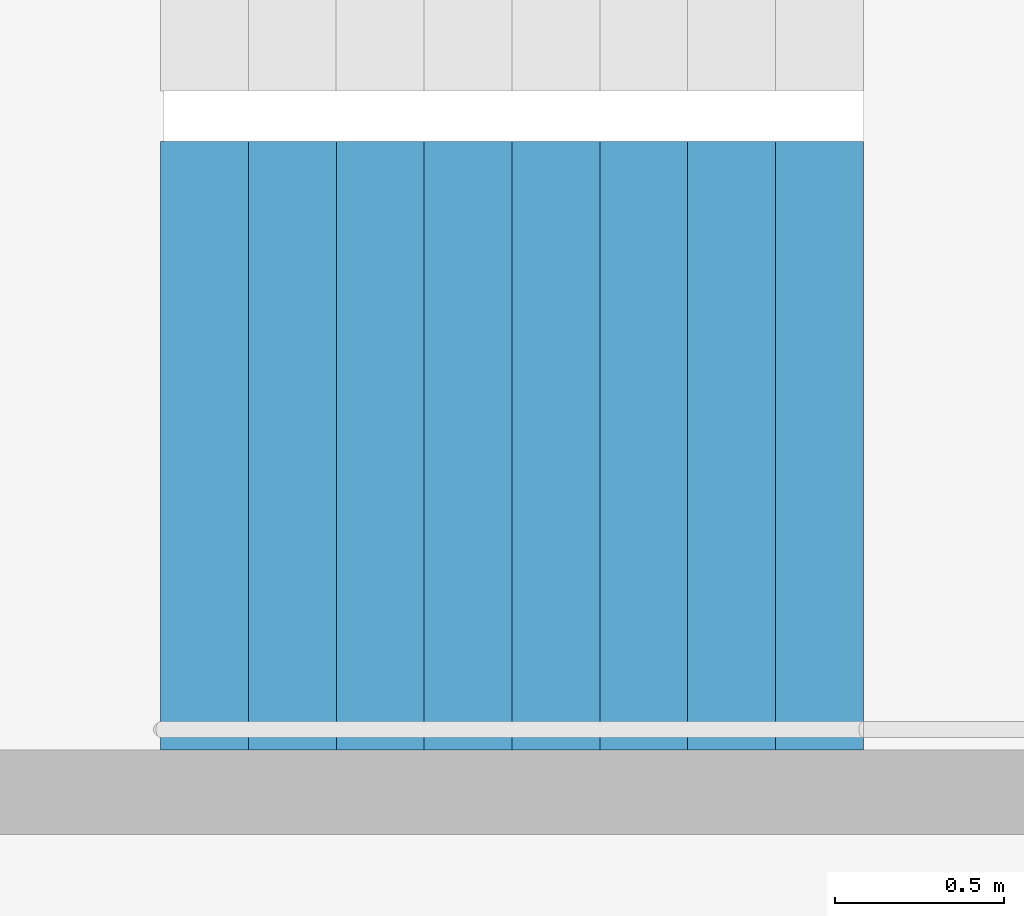
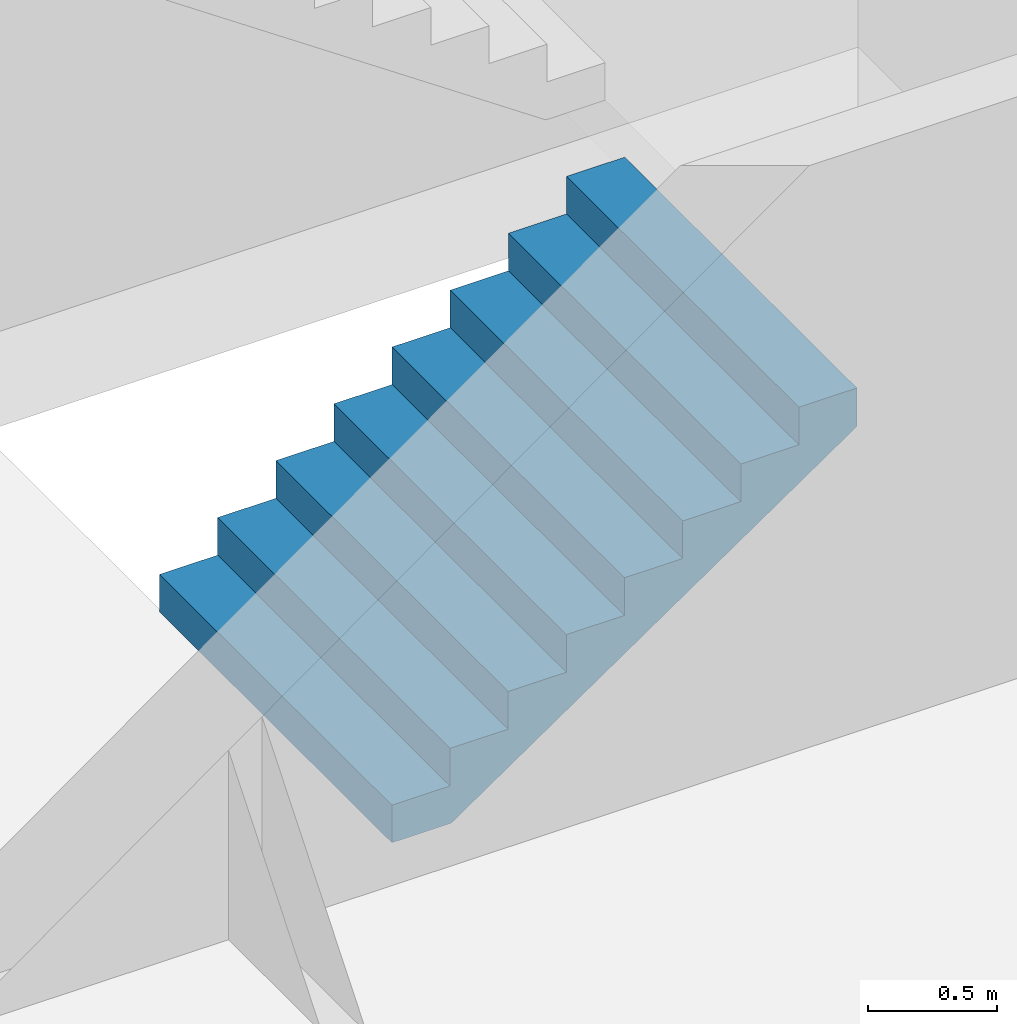
# One storey, part 20 of 26: 1 stair flight, 1 element without a shape of its own.
"""IFC4 building model written with IfcOpenShell, lengths in metres."""

from ifc_helpers import new_model, si_unit, direction, frame, origin, place, context, subcontext, project, spatial, triangles, material, type_object, element, aggregate, save


model = new_model("IFC4")

# Units and contexts
model_context = context("Model", 3, precision=1e-05, world=origin(), true_north=direction((0.0, 1.0)))
body_context = subcontext(model_context, "Body", "Model", "MODEL_VIEW")
ifc_project = project(units=[si_unit("LENGTHUNIT", "METRE"), si_unit("AREAUNIT", "SQUARE_METRE"), si_unit("VOLUMEUNIT", "CUBIC_METRE"), si_unit("PLANEANGLEUNIT", "RADIAN"), si_unit("MASSUNIT", "GRAM", prefix="KILO")], contexts=[model_context])

# Site, building, storey
site_placement = place(None, origin())
site = spatial("IfcSite", under=ifc_project, at=site_placement, CompositionType="ELEMENT")
building_placement = place(site_placement, origin())
building = spatial("IfcBuilding", under=site, at=building_placement, Name="Hakoniwa Tower and Hamabe Station Hall", CompositionType="ELEMENT")
storey_placement = place(building_placement, frame((0.0, 0.0, 212.199951171875)))
storey = spatial("IfcBuildingStorey", under=building, at=storey_placement, Name="L60", CompositionType="ELEMENT", Elevation=212.199951171875)

# Stair, stair flight
ifc_material_1 = material(Name="Concrete C40", Category="concrete")
stair_type = type_object("IfcStairType", Name="ESCAPE STAIR 1800", PredefinedType="HALF_TURN_STAIR", material=ifc_material_1)
stair_placement = place(storey_placement, origin())
stair = element("IfcStair", 1, at=stair_placement, inside=storey, type_object=stair_type, Name="Escape stair ST-1 L60", PredefinedType="HALF_TURN_STAIR")
ifc_material_2 = material(Name="Concrete C40", Category="concrete")
stair_flight_type = type_object("IfcStairFlightType", Name="STAIR FLIGHT 1800", PredefinedType="STRAIGHT", material=ifc_material_2)
stair_flight_placement = place(storey_placement, frame((-24.39990234375, 4.64990234375, 0.0), z_axis=(0.0, 0.0, 1.0), x_axis=(1.0, 0.0, 0.0)))
stair_flight = element("IfcStairFlight", 2, at=stair_flight_placement, type_object=stair_flight_type, Name="ST-1 flight 1", NumberOfRisers=9, NumberOfTreads=8, PredefinedType="STRAIGHT", RiserHeight=0.177777778, TreadLength=0.26, context=body_context, shape_type="Tessellation", body=[
    triangles([(0.0, 0.89990234375, 0.0), (0.260009765625, 0.89990234375, 0.0), (0.265625, 0.89990234375, 0.0), (0.52001953125, 0.89990234375, 0.174072265625), (0.780029296875, 0.89990234375, 0.351806640625), (1.0400390625, 0.89990234375, 0.529541015625), (1.300048828125, 0.89990234375, 0.707275390625), (1.56005859375, 0.89990234375, 0.885009765625), (1.820068359375, 0.89990234375, 1.062744140625), (2.080078125, 0.89990234375, 1.24072265625), (2.080078125, 0.89990234375, 1.422119140625), (1.820068359375, 0.89990234375, 1.422119140625), (1.820068359375, 0.89990234375, 1.244384765625), (1.56005859375, 0.89990234375, 1.244384765625), (1.56005859375, 0.89990234375, 1.066650390625), (1.300048828125, 0.89990234375, 1.066650390625), (1.300048828125, 0.89990234375, 0.888916015625), (1.0400390625, 0.89990234375, 0.888916015625), (1.0400390625, 0.89990234375, 0.711181640625), (0.780029296875, 0.89990234375, 0.711181640625), (0.780029296875, 0.89990234375, 0.533447265625), (0.52001953125, 0.89990234375, 0.533447265625), (0.52001953125, 0.89990234375, 0.35546875), (0.265625, 0.89990234375, 0.35546875), (0.260009765625, 0.89990234375, 0.35546875), (0.260009765625, 0.89990234375, 0.177734375), (0.0, 0.89990234375, 0.177734375), (0.0, 0.06005859375, 0.0), (0.260009765625, 0.06005859375, 0.0), (0.265625, 0.06005859375, 0.0), (0.52001953125, 0.06005859375, 0.174072265625), (0.780029296875, 0.06005859375, 0.351806640625), (1.0400390625, 0.06005859375, 0.529541015625), (1.300048828125, 0.06005859375, 0.707275390625), (1.56005859375, 0.06005859375, 0.885009765625), (1.820068359375, 0.06005859375, 1.062744140625), (2.080078125, 0.06005859375, 1.24072265625), (2.080078125, 0.06005859375, 1.422119140625), (1.820068359375, 0.06005859375, 1.422119140625), (1.820068359375, 0.06005859375, 1.244384765625), (1.56005859375, 0.06005859375, 1.244384765625), (1.56005859375, 0.06005859375, 1.066650390625), (1.300048828125, 0.06005859375, 1.066650390625), (1.300048828125, 0.06005859375, 0.888916015625), (1.0400390625, 0.06005859375, 0.888916015625), (1.0400390625, 0.06005859375, 0.711181640625), (0.780029296875, 0.06005859375, 0.711181640625), (0.780029296875, 0.06005859375, 0.533447265625), (0.52001953125, 0.06005859375, 0.533447265625), (0.52001953125, 0.06005859375, 0.35546875), (0.265625, 0.06005859375, 0.35546875), (0.260009765625, 0.06005859375, 0.35546875), (0.260009765625, 0.06005859375, 0.177734375), (0.0, 0.06005859375, 0.177734375), (0.0, 0.04296875, 0.0), (0.260009765625, 0.04296875, 0.0), (0.265625, 0.04296875, 0.0), (0.52001953125, 0.04296875, 0.174072265625), (0.780029296875, 0.04296875, 0.351806640625), (1.0400390625, 0.04296875, 0.529541015625), (1.300048828125, 0.04296875, 0.707275390625), (1.56005859375, 0.04296875, 0.885009765625), (1.820068359375, 0.04296875, 1.062744140625), (2.080078125, 0.04296875, 1.24072265625), (2.080078125, 0.04296875, 1.422119140625), (1.820068359375, 0.04296875, 1.422119140625), (1.820068359375, 0.04296875, 1.244384765625), (1.56005859375, 0.04296875, 1.244384765625), (1.56005859375, 0.04296875, 1.066650390625), (1.300048828125, 0.04296875, 1.066650390625), (1.300048828125, 0.04296875, 0.888916015625), (1.0400390625, 0.04296875, 0.888916015625), (1.0400390625, 0.04296875, 0.711181640625), (0.780029296875, 0.04296875, 0.711181640625), (0.780029296875, 0.04296875, 0.533447265625), (0.52001953125, 0.04296875, 0.533447265625), (0.52001953125, 0.04296875, 0.35546875), (0.265625, 0.04296875, 0.35546875), (0.260009765625, 0.04296875, 0.35546875), (0.260009765625, 0.04296875, 0.177734375), (0.0, 0.04296875, 0.177734375), (0.0, 0.025634765625, 0.0), (0.260009765625, 0.025634765625, 0.0), (0.265625, 0.025634765625, 0.0), (0.52001953125, 0.025634765625, 0.174072265625), (0.780029296875, 0.025634765625, 0.351806640625), (1.0400390625, 0.025634765625, 0.529541015625), (1.300048828125, 0.025634765625, 0.707275390625), (1.56005859375, 0.025634765625, 0.885009765625), (1.820068359375, 0.025634765625, 1.062744140625), (2.080078125, 0.025634765625, 1.24072265625), (2.080078125, 0.025634765625, 1.422119140625), (1.820068359375, 0.025634765625, 1.422119140625), (1.820068359375, 0.025634765625, 1.244384765625), (1.56005859375, 0.025634765625, 1.244384765625), (1.56005859375, 0.025634765625, 1.066650390625), (1.300048828125, 0.025634765625, 1.066650390625), (1.300048828125, 0.025634765625, 0.888916015625), (1.0400390625, 0.025634765625, 0.888916015625), (1.0400390625, 0.025634765625, 0.711181640625), (0.780029296875, 0.025634765625, 0.711181640625), (0.780029296875, 0.025634765625, 0.533447265625), (0.52001953125, 0.025634765625, 0.533447265625), (0.52001953125, 0.025634765625, 0.35546875), (0.265625, 0.025634765625, 0.35546875), (0.260009765625, 0.025634765625, 0.35546875), (0.260009765625, 0.025634765625, 0.177734375), (0.0, 0.025634765625, 0.177734375), (0.0, 0.008544921875, 0.0), (0.260009765625, 0.008544921875, 0.0), (0.265625, 0.008544921875, 0.0), (0.52001953125, 0.008544921875, 0.174072265625), (0.780029296875, 0.008544921875, 0.351806640625), (1.0400390625, 0.008544921875, 0.529541015625), (1.300048828125, 0.008544921875, 0.707275390625), (1.56005859375, 0.008544921875, 0.885009765625), (1.820068359375, 0.008544921875, 1.062744140625), (2.080078125, 0.008544921875, 1.24072265625), (2.080078125, 0.008544921875, 1.422119140625), (1.820068359375, 0.008544921875, 1.422119140625), (1.820068359375, 0.008544921875, 1.244384765625), (1.56005859375, 0.008544921875, 1.244384765625), (1.56005859375, 0.008544921875, 1.066650390625), (1.300048828125, 0.008544921875, 1.066650390625), (1.300048828125, 0.008544921875, 0.888916015625), (1.0400390625, 0.008544921875, 0.888916015625), (1.0400390625, 0.008544921875, 0.711181640625), (0.780029296875, 0.008544921875, 0.711181640625), (0.780029296875, 0.008544921875, 0.533447265625), (0.52001953125, 0.008544921875, 0.533447265625), (0.52001953125, 0.008544921875, 0.35546875), (0.265625, 0.008544921875, 0.35546875), (0.260009765625, 0.008544921875, 0.35546875), (0.260009765625, 0.008544921875, 0.177734375), (0.0, 0.008544921875, 0.177734375), (0.0, -0.008544921875, 0.0), (0.260009765625, -0.008544921875, 0.0), (0.265625, -0.008544921875, 0.0), (0.52001953125, -0.008544921875, 0.174072265625), (0.780029296875, -0.008544921875, 0.351806640625), (1.0400390625, -0.008544921875, 0.529541015625), (1.300048828125, -0.008544921875, 0.707275390625), (1.56005859375, -0.008544921875, 0.885009765625), (1.820068359375, -0.008544921875, 1.062744140625), (2.080078125, -0.008544921875, 1.24072265625), (2.080078125, -0.008544921875, 1.422119140625), (1.820068359375, -0.008544921875, 1.422119140625), (1.820068359375, -0.008544921875, 1.244384765625), (1.56005859375, -0.008544921875, 1.244384765625), (1.56005859375, -0.008544921875, 1.066650390625), (1.300048828125, -0.008544921875, 1.066650390625), (1.300048828125, -0.008544921875, 0.888916015625), (1.0400390625, -0.008544921875, 0.888916015625), (1.0400390625, -0.008544921875, 0.711181640625), (0.780029296875, -0.008544921875, 0.711181640625), (0.780029296875, -0.008544921875, 0.533447265625), (0.52001953125, -0.008544921875, 0.533447265625), (0.52001953125, -0.008544921875, 0.35546875), (0.265625, -0.008544921875, 0.35546875), (0.260009765625, -0.008544921875, 0.35546875), (0.260009765625, -0.008544921875, 0.177734375), (0.0, -0.008544921875, 0.177734375), (0.0, -0.025634765625, 0.0), (0.260009765625, -0.025634765625, 0.0), (0.265625, -0.025634765625, 0.0), (0.52001953125, -0.025634765625, 0.174072265625), (0.780029296875, -0.025634765625, 0.351806640625), (1.0400390625, -0.025634765625, 0.529541015625), (1.300048828125, -0.025634765625, 0.707275390625), (1.56005859375, -0.025634765625, 0.885009765625), (1.820068359375, -0.025634765625, 1.062744140625), (2.080078125, -0.025634765625, 1.24072265625), (2.080078125, -0.025634765625, 1.422119140625), (1.820068359375, -0.025634765625, 1.422119140625), (1.820068359375, -0.025634765625, 1.244384765625), (1.56005859375, -0.025634765625, 1.244384765625), (1.56005859375, -0.025634765625, 1.066650390625), (1.300048828125, -0.025634765625, 1.066650390625), (1.300048828125, -0.025634765625, 0.888916015625), (1.0400390625, -0.025634765625, 0.888916015625), (1.0400390625, -0.025634765625, 0.711181640625), (0.780029296875, -0.025634765625, 0.711181640625), (0.780029296875, -0.025634765625, 0.533447265625), (0.52001953125, -0.025634765625, 0.533447265625), (0.52001953125, -0.025634765625, 0.35546875), (0.265625, -0.025634765625, 0.35546875), (0.260009765625, -0.025634765625, 0.35546875), (0.260009765625, -0.025634765625, 0.177734375), (0.0, -0.025634765625, 0.177734375), (0.0, -0.04296875, 0.0), (0.260009765625, -0.04296875, 0.0), (0.265625, -0.04296875, 0.0), (0.52001953125, -0.04296875, 0.174072265625), (0.780029296875, -0.04296875, 0.351806640625), (1.0400390625, -0.04296875, 0.529541015625), (1.300048828125, -0.04296875, 0.707275390625), (1.56005859375, -0.04296875, 0.885009765625), (1.820068359375, -0.04296875, 1.062744140625), (2.080078125, -0.04296875, 1.24072265625), (2.080078125, -0.04296875, 1.422119140625), (1.820068359375, -0.04296875, 1.422119140625), (1.820068359375, -0.04296875, 1.244384765625), (1.56005859375, -0.04296875, 1.244384765625), (1.56005859375, -0.04296875, 1.066650390625), (1.300048828125, -0.04296875, 1.066650390625), (1.300048828125, -0.04296875, 0.888916015625), (1.0400390625, -0.04296875, 0.888916015625), (1.0400390625, -0.04296875, 0.711181640625), (0.780029296875, -0.04296875, 0.711181640625), (0.780029296875, -0.04296875, 0.533447265625), (0.52001953125, -0.04296875, 0.533447265625), (0.52001953125, -0.04296875, 0.35546875), (0.265625, -0.04296875, 0.35546875), (0.260009765625, -0.04296875, 0.35546875), (0.260009765625, -0.04296875, 0.177734375), (0.0, -0.04296875, 0.177734375), (0.0, -0.06005859375, 0.0), (0.260009765625, -0.06005859375, 0.0), (0.265625, -0.06005859375, 0.0), (0.52001953125, -0.06005859375, 0.174072265625), (0.780029296875, -0.06005859375, 0.351806640625), (1.0400390625, -0.06005859375, 0.529541015625), (1.300048828125, -0.06005859375, 0.707275390625), (1.56005859375, -0.06005859375, 0.885009765625), (1.820068359375, -0.06005859375, 1.062744140625), (2.080078125, -0.06005859375, 1.24072265625), (2.080078125, -0.06005859375, 1.422119140625), (1.820068359375, -0.06005859375, 1.422119140625), (1.820068359375, -0.06005859375, 1.244384765625), (1.56005859375, -0.06005859375, 1.244384765625), (1.56005859375, -0.06005859375, 1.066650390625), (1.300048828125, -0.06005859375, 1.066650390625), (1.300048828125, -0.06005859375, 0.888916015625), (1.0400390625, -0.06005859375, 0.888916015625), (1.0400390625, -0.06005859375, 0.711181640625), (0.780029296875, -0.06005859375, 0.711181640625), (0.780029296875, -0.06005859375, 0.533447265625), (0.52001953125, -0.06005859375, 0.533447265625), (0.52001953125, -0.06005859375, 0.35546875), (0.265625, -0.06005859375, 0.35546875), (0.260009765625, -0.06005859375, 0.35546875), (0.260009765625, -0.06005859375, 0.177734375), (0.0, -0.06005859375, 0.177734375), (0.0, -0.89990234375, 0.0), (0.260009765625, -0.89990234375, 0.0), (0.265625, -0.89990234375, 0.0), (0.52001953125, -0.89990234375, 0.174072265625), (0.780029296875, -0.89990234375, 0.351806640625), (1.0400390625, -0.89990234375, 0.529541015625), (1.300048828125, -0.89990234375, 0.707275390625), (1.56005859375, -0.89990234375, 0.885009765625), (1.820068359375, -0.89990234375, 1.062744140625), (2.080078125, -0.89990234375, 1.24072265625), (2.080078125, -0.89990234375, 1.422119140625), (1.820068359375, -0.89990234375, 1.422119140625), (1.820068359375, -0.89990234375, 1.244384765625), (1.56005859375, -0.89990234375, 1.244384765625), (1.56005859375, -0.89990234375, 1.066650390625), (1.300048828125, -0.89990234375, 1.066650390625), (1.300048828125, -0.89990234375, 0.888916015625), (1.0400390625, -0.89990234375, 0.888916015625), (1.0400390625, -0.89990234375, 0.711181640625), (0.780029296875, -0.89990234375, 0.711181640625), (0.780029296875, -0.89990234375, 0.533447265625), (0.52001953125, -0.89990234375, 0.533447265625), (0.52001953125, -0.89990234375, 0.35546875), (0.265625, -0.89990234375, 0.35546875), (0.260009765625, -0.89990234375, 0.35546875), (0.260009765625, -0.89990234375, 0.177734375), (0.0, -0.89990234375, 0.177734375)], [[2, 27, 26], [245, 269, 270], [2, 1, 27], [245, 270, 244], [3, 25, 24], [246, 267, 268], [3, 26, 25], [246, 268, 269], [3, 2, 26], [246, 269, 245], [4, 24, 23], [247, 266, 267], [4, 3, 24], [247, 267, 246], [5, 22, 21], [248, 264, 265], [5, 23, 22], [248, 265, 266], [5, 4, 23], [248, 266, 247], [6, 20, 19], [249, 262, 263], [6, 21, 20], [249, 263, 264], [6, 5, 21], [249, 264, 248], [7, 18, 17], [250, 260, 261], [7, 19, 18], [250, 261, 262], [7, 6, 19], [250, 262, 249], [8, 16, 15], [251, 258, 259], [8, 17, 16], [251, 259, 260], [8, 7, 17], [251, 260, 250], [9, 14, 13], [252, 256, 257], [9, 15, 14], [252, 257, 258], [9, 8, 15], [252, 258, 251], [10, 12, 11], [253, 254, 255], [10, 13, 12], [253, 255, 256], [10, 9, 13], [253, 256, 252], [1, 2, 29], [1, 29, 28], [28, 29, 56], [28, 56, 55], [55, 56, 83], [55, 83, 82], [82, 83, 110], [82, 110, 109], [109, 110, 137], [109, 137, 136], [136, 137, 164], [136, 164, 163], [163, 164, 191], [163, 191, 190], [190, 191, 218], [190, 218, 217], [217, 218, 245], [217, 245, 244], [2, 3, 30], [2, 30, 29], [29, 30, 57], [29, 57, 56], [56, 57, 84], [56, 84, 83], [83, 84, 111], [83, 111, 110], [110, 111, 138], [110, 138, 137], [137, 138, 165], [137, 165, 164], [164, 165, 192], [164, 192, 191], [191, 192, 219], [191, 219, 218], [218, 219, 246], [218, 246, 245], [3, 4, 31], [3, 31, 30], [30, 31, 58], [30, 58, 57], [57, 58, 85], [57, 85, 84], [84, 85, 112], [84, 112, 111], [111, 112, 139], [111, 139, 138], [138, 139, 166], [138, 166, 165], [165, 166, 193], [165, 193, 192], [192, 193, 220], [192, 220, 219], [219, 220, 247], [219, 247, 246], [4, 5, 32], [4, 32, 31], [31, 32, 59], [31, 59, 58], [58, 59, 86], [58, 86, 85], [85, 86, 113], [85, 113, 112], [112, 113, 140], [112, 140, 139], [139, 140, 167], [139, 167, 166], [166, 167, 194], [166, 194, 193], [193, 194, 221], [193, 221, 220], [220, 221, 248], [220, 248, 247], [5, 6, 33], [5, 33, 32], [32, 33, 60], [32, 60, 59], [59, 60, 87], [59, 87, 86], [86, 87, 114], [86, 114, 113], [113, 114, 141], [113, 141, 140], [140, 141, 168], [140, 168, 167], [167, 168, 195], [167, 195, 194], [194, 195, 222], [194, 222, 221], [221, 222, 249], [221, 249, 248], [6, 7, 34], [6, 34, 33], [33, 34, 61], [33, 61, 60], [60, 61, 88], [60, 88, 87], [87, 88, 115], [87, 115, 114], [114, 115, 142], [114, 142, 141], [141, 142, 169], [141, 169, 168], [168, 169, 196], [168, 196, 195], [195, 196, 223], [195, 223, 222], [222, 223, 250], [222, 250, 249], [7, 8, 35], [7, 35, 34], [34, 35, 62], [34, 62, 61], [61, 62, 89], [61, 89, 88], [88, 89, 116], [88, 116, 115], [115, 116, 143], [115, 143, 142], [142, 143, 170], [142, 170, 169], [169, 170, 197], [169, 197, 196], [196, 197, 224], [196, 224, 223], [223, 224, 251], [223, 251, 250], [8, 9, 36], [8, 36, 35], [35, 36, 63], [35, 63, 62], [62, 63, 90], [62, 90, 89], [89, 90, 117], [89, 117, 116], [116, 117, 144], [116, 144, 143], [143, 144, 171], [143, 171, 170], [170, 171, 198], [170, 198, 197], [197, 198, 225], [197, 225, 224], [224, 225, 252], [224, 252, 251], [9, 10, 37], [9, 37, 36], [36, 37, 64], [36, 64, 63], [63, 64, 91], [63, 91, 90], [90, 91, 118], [90, 118, 117], [117, 118, 145], [117, 145, 144], [144, 145, 172], [144, 172, 171], [171, 172, 199], [171, 199, 198], [198, 199, 226], [198, 226, 225], [225, 226, 253], [225, 253, 252], [10, 11, 38], [10, 38, 37], [37, 38, 65], [37, 65, 64], [64, 65, 92], [64, 92, 91], [91, 92, 119], [91, 119, 118], [118, 119, 146], [118, 146, 145], [145, 146, 173], [145, 173, 172], [172, 173, 200], [172, 200, 199], [199, 200, 227], [199, 227, 226], [226, 227, 254], [226, 254, 253], [11, 12, 39], [11, 39, 38], [38, 39, 66], [38, 66, 65], [65, 66, 93], [65, 93, 92], [92, 93, 120], [92, 120, 119], [119, 120, 147], [119, 147, 146], [146, 147, 174], [146, 174, 173], [173, 174, 201], [173, 201, 200], [200, 201, 228], [200, 228, 227], [227, 228, 255], [227, 255, 254], [12, 13, 40], [12, 40, 39], [39, 40, 67], [39, 67, 66], [66, 67, 94], [66, 94, 93], [93, 94, 121], [93, 121, 120], [120, 121, 148], [120, 148, 147], [147, 148, 175], [147, 175, 174], [174, 175, 202], [174, 202, 201], [201, 202, 229], [201, 229, 228], [228, 229, 256], [228, 256, 255], [13, 14, 41], [13, 41, 40], [40, 41, 68], [40, 68, 67], [67, 68, 95], [67, 95, 94], [94, 95, 122], [94, 122, 121], [121, 122, 149], [121, 149, 148], [148, 149, 176], [148, 176, 175], [175, 176, 203], [175, 203, 202], [202, 203, 230], [202, 230, 229], [229, 230, 257], [229, 257, 256], [14, 15, 42], [14, 42, 41], [41, 42, 69], [41, 69, 68], [68, 69, 96], [68, 96, 95], [95, 96, 123], [95, 123, 122], [122, 123, 150], [122, 150, 149], [149, 150, 177], [149, 177, 176], [176, 177, 204], [176, 204, 203], [203, 204, 231], [203, 231, 230], [230, 231, 258], [230, 258, 257], [15, 16, 43], [15, 43, 42], [42, 43, 70], [42, 70, 69], [69, 70, 97], [69, 97, 96], [96, 97, 124], [96, 124, 123], [123, 124, 151], [123, 151, 150], [150, 151, 178], [150, 178, 177], [177, 178, 205], [177, 205, 204], [204, 205, 232], [204, 232, 231], [231, 232, 259], [231, 259, 258], [16, 17, 44], [16, 44, 43], [43, 44, 71], [43, 71, 70], [70, 71, 98], [70, 98, 97], [97, 98, 125], [97, 125, 124], [124, 125, 152], [124, 152, 151], [151, 152, 179], [151, 179, 178], [178, 179, 206], [178, 206, 205], [205, 206, 233], [205, 233, 232], [232, 233, 260], [232, 260, 259], [17, 18, 45], [17, 45, 44], [44, 45, 72], [44, 72, 71], [71, 72, 99], [71, 99, 98], [98, 99, 126], [98, 126, 125], [125, 126, 153], [125, 153, 152], [152, 153, 180], [152, 180, 179], [179, 180, 207], [179, 207, 206], [206, 207, 234], [206, 234, 233], [233, 234, 261], [233, 261, 260], [18, 19, 46], [18, 46, 45], [45, 46, 73], [45, 73, 72], [72, 73, 100], [72, 100, 99], [99, 100, 127], [99, 127, 126], [126, 127, 154], [126, 154, 153], [153, 154, 181], [153, 181, 180], [180, 181, 208], [180, 208, 207], [207, 208, 235], [207, 235, 234], [234, 235, 262], [234, 262, 261], [19, 20, 47], [19, 47, 46], [46, 47, 74], [46, 74, 73], [73, 74, 101], [73, 101, 100], [100, 101, 128], [100, 128, 127], [127, 128, 155], [127, 155, 154], [154, 155, 182], [154, 182, 181], [181, 182, 209], [181, 209, 208], [208, 209, 236], [208, 236, 235], [235, 236, 263], [235, 263, 262], [20, 21, 48], [20, 48, 47], [47, 48, 75], [47, 75, 74], [74, 75, 102], [74, 102, 101], [101, 102, 129], [101, 129, 128], [128, 129, 156], [128, 156, 155], [155, 156, 183], [155, 183, 182], [182, 183, 210], [182, 210, 209], [209, 210, 237], [209, 237, 236], [236, 237, 264], [236, 264, 263], [21, 22, 49], [21, 49, 48], [48, 49, 76], [48, 76, 75], [75, 76, 103], [75, 103, 102], [102, 103, 130], [102, 130, 129], [129, 130, 157], [129, 157, 156], [156, 157, 184], [156, 184, 183], [183, 184, 211], [183, 211, 210], [210, 211, 238], [210, 238, 237], [237, 238, 265], [237, 265, 264], [22, 23, 50], [22, 50, 49], [49, 50, 77], [49, 77, 76], [76, 77, 104], [76, 104, 103], [103, 104, 131], [103, 131, 130], [130, 131, 158], [130, 158, 157], [157, 158, 185], [157, 185, 184], [184, 185, 212], [184, 212, 211], [211, 212, 239], [211, 239, 238], [238, 239, 266], [238, 266, 265], [23, 24, 51], [23, 51, 50], [50, 51, 78], [50, 78, 77], [77, 78, 105], [77, 105, 104], [104, 105, 132], [104, 132, 131], [131, 132, 159], [131, 159, 158], [158, 159, 186], [158, 186, 185], [185, 186, 213], [185, 213, 212], [212, 213, 240], [212, 240, 239], [239, 240, 267], [239, 267, 266], [24, 25, 52], [24, 52, 51], [51, 52, 79], [51, 79, 78], [78, 79, 106], [78, 106, 105], [105, 106, 133], [105, 133, 132], [132, 133, 160], [132, 160, 159], [159, 160, 187], [159, 187, 186], [186, 187, 214], [186, 214, 213], [213, 214, 241], [213, 241, 240], [240, 241, 268], [240, 268, 267], [25, 26, 53], [25, 53, 52], [52, 53, 80], [52, 80, 79], [79, 80, 107], [79, 107, 106], [106, 107, 134], [106, 134, 133], [133, 134, 161], [133, 161, 160], [160, 161, 188], [160, 188, 187], [187, 188, 215], [187, 215, 214], [214, 215, 242], [214, 242, 241], [241, 242, 269], [241, 269, 268], [26, 27, 54], [26, 54, 53], [53, 54, 81], [53, 81, 80], [80, 81, 108], [80, 108, 107], [107, 108, 135], [107, 135, 134], [134, 135, 162], [134, 162, 161], [161, 162, 189], [161, 189, 188], [188, 189, 216], [188, 216, 215], [215, 216, 243], [215, 243, 242], [242, 243, 270], [242, 270, 269], [27, 1, 28], [27, 28, 54], [54, 28, 55], [54, 55, 81], [81, 55, 82], [81, 82, 108], [108, 82, 109], [108, 109, 135], [135, 109, 136], [135, 136, 162], [162, 136, 163], [162, 163, 189], [189, 163, 190], [189, 190, 216], [216, 190, 217], [216, 217, 243], [243, 217, 244], [243, 244, 270]], closed=True),
])
aggregate(stair, [stair_flight])

save(model, "model.ifc")
